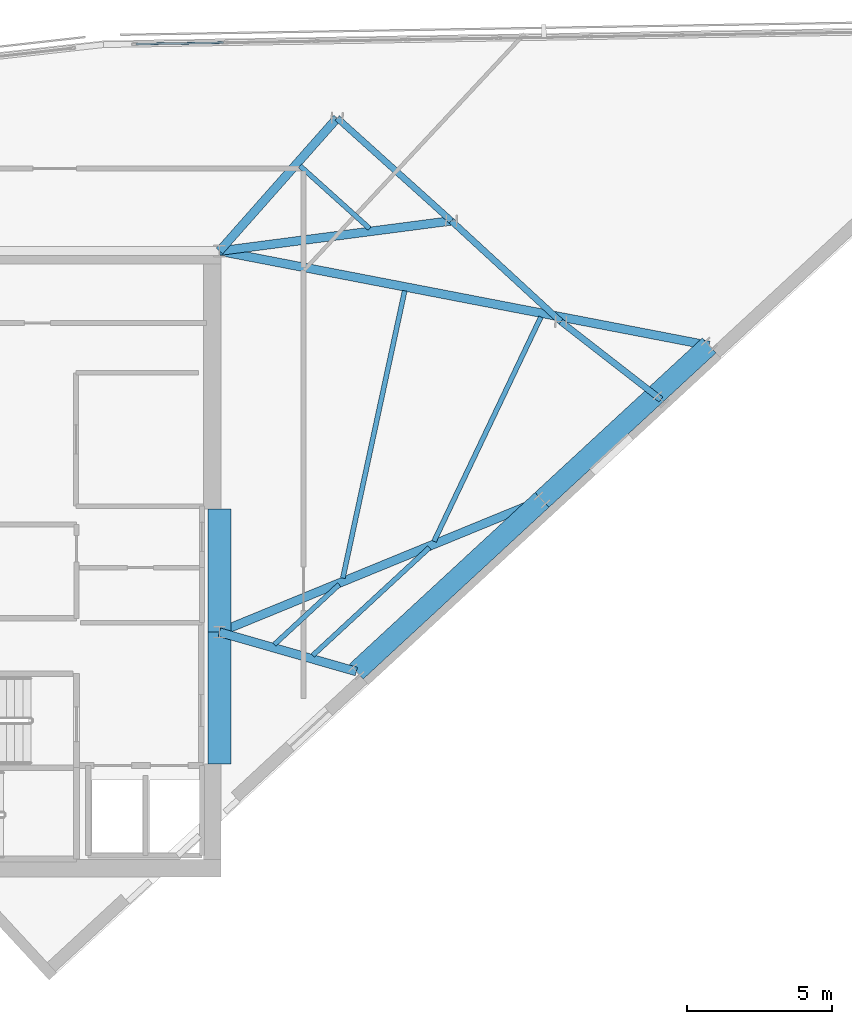
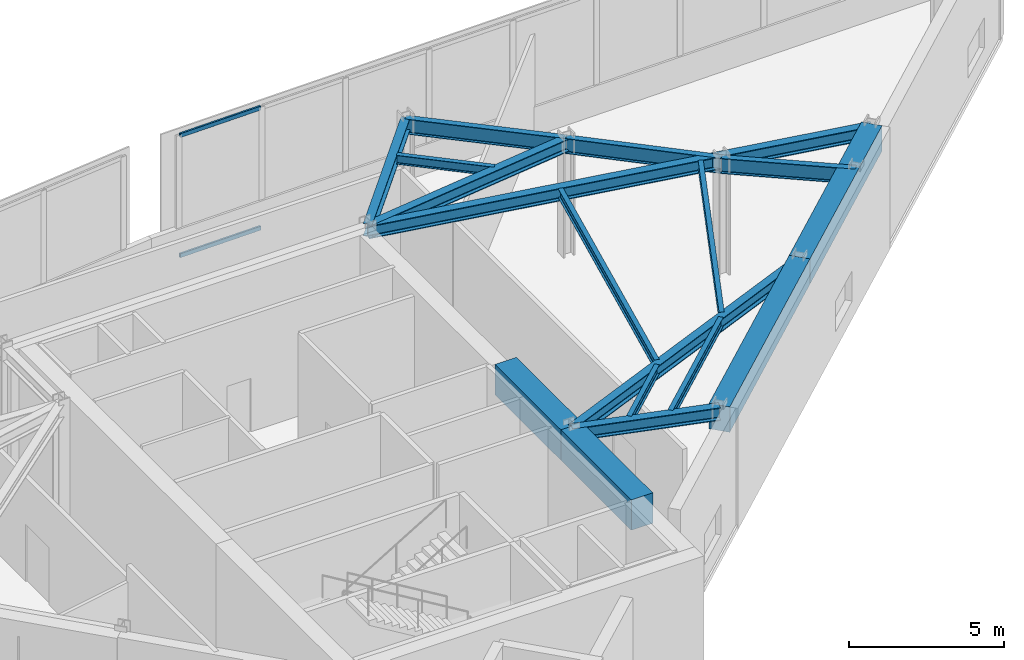
# One storey, part 5 of 12: 17 beams, 2 members, 1 element without a shape of its own.
"""IFC4 building model written with IfcOpenShell, lengths in metres."""

import ifcopenshell
import ifcopenshell.guid

model = None  # the IFC model being written
_history = None  # IfcOwnerHistory: only IFC2X3 demands one
_inside = {}  # id of a spatial element -> (the spatial element, [elements in it])
_under = {}  # id of a project, library or spatial element -> (it, [spatial elements below it])
_declared = {}  # id of a project -> (the project, [libraries it declares])
_typed = {}  # id of a type object -> (the type object, [elements of that type])
_made_of = {}  # id of a material, layer set ... -> (it, [elements and type objects made of it])


def new_model(schema):
    """Start an empty IFC model of exactly this schema.

    Asked for "IFC4X3", IfcOpenShell would pick the latest addendum, in which some entities
    have other attributes; the version numbers below select the first issue.
    IFC2X3 requires an IfcOwnerHistory on every rooted entity: one is made here for all.
    """
    global model, _history
    if schema == "IFC4X3":
        model = ifcopenshell.file(schema_version=(4, 3, 0, 0))
    else:
        model = ifcopenshell.file(schema=schema)
    _inside.clear()
    _under.clear()
    _declared.clear()
    _typed.clear()
    _made_of.clear()
    _history = None
    if model.schema == "IFC2X3":
        org = make("IfcOrganization", Name="unknown")
        user = make(
            "IfcPersonAndOrganization",
            ThePerson=make("IfcPerson", FamilyName="unknown"),
            TheOrganization=org,
        )
        app = make(
            "IfcApplication",
            ApplicationDeveloper=org,
            Version="unknown",
            ApplicationFullName="unknown",
            ApplicationIdentifier="unknown",
        )
        _history = make(
            "IfcOwnerHistory",
            OwningUser=user,
            OwningApplication=app,
            ChangeAction="ADDED",
            CreationDate=0,
        )
    return model


def make(cls, **values):
    """One entity of the class cls with the attributes given. An attribute that is None is left unset."""
    return model.create_entity(
        cls, **{name: value for name, value in values.items() if value is not None}
    )


def rooted(cls, **values):
    """An entity with a GlobalId (a new one), such as an element, a storey or a relation."""
    return make(cls, GlobalId=ifcopenshell.guid.new(), OwnerHistory=_history, **values)


def si_unit(unit_type, name, prefix=None):
    """IfcSIUnit, for example si_unit("LENGTHUNIT", "METRE", prefix="MILLI")."""
    return make("IfcSIUnit", UnitType=unit_type, Prefix=prefix, Name=name)


def assignment(units):
    """IfcUnitAssignment: the units of a project."""
    return None if units is None else make("IfcUnitAssignment", Units=units)


def point(xyz):
    """IfcCartesianPoint."""
    return None if xyz is None else make("IfcCartesianPoint", Coordinates=xyz)


def direction(xyz):
    """IfcDirection."""
    return None if xyz is None else make("IfcDirection", DirectionRatios=xyz)


def frame(location, z_axis=None, x_axis=None):
    """IfcAxis2Placement3D, a coordinate frame: its origin and axes. An axis left out is left unset."""
    return make(
        "IfcAxis2Placement3D",
        Location=point(location),
        Axis=direction(z_axis),
        RefDirection=direction(x_axis),
    )


def frame_2d(location, x_axis=None):
    """IfcAxis2Placement2D, a coordinate frame in the plane: its origin and x axis."""
    return make(
        "IfcAxis2Placement2D", Location=point(location), RefDirection=direction(x_axis)
    )


def origin():
    """The frame at (0, 0, 0) with its axes left unset."""
    return frame((0.0, 0.0, 0.0))


def origin_2d():
    """The frame at (0, 0) in the plane with its x axis left unset."""
    return frame_2d((0.0, 0.0))


def place(relative_to, where):
    """IfcLocalPlacement: puts the frame where relative to a parent placement (None: the world)."""
    return make(
        "IfcLocalPlacement", PlacementRelTo=relative_to, RelativePlacement=where
    )


def context(
    kind, dimensions, precision=None, world=None, true_north=None, identifier=None
):
    """IfcGeometricRepresentationContext, for example the 3D "Model" context."""
    return make(
        "IfcGeometricRepresentationContext",
        ContextIdentifier=identifier,
        ContextType=kind,
        CoordinateSpaceDimension=dimensions,
        Precision=precision,
        WorldCoordinateSystem=world,
        TrueNorth=true_north,
    )


def subcontext(parent, identifier, kind, view, scale=None):
    """IfcGeometricRepresentationSubContext, for example "Body" below "Model"."""
    return make(
        "IfcGeometricRepresentationSubContext",
        ContextIdentifier=identifier,
        ContextType=kind,
        ParentContext=parent,
        TargetScale=scale,
        TargetView=view,
    )


def project(units=None, contexts=None):
    """IfcProject with its units and contexts."""
    return rooted(
        "IfcProject",
        Name="project",
        RepresentationContexts=contexts,
        UnitsInContext=assignment(units),
    )


def spatial(cls, under=None, at=None, **own):
    """A site, building, storey or space (cls), placed at a placement, below another one or the project."""
    s = rooted(cls, ObjectPlacement=at, **own)
    if under is not None:
        _under.setdefault(under.id(), (under, []))[1].append(s)
    return s


def profile(cls, at=None, kind="AREA", **sizes):
    """A parametric profile (cls). Its sizes go by their IFC names, for example OverallWidth=200.0."""
    return make(cls, ProfileType=kind, Position=at, **sizes)


def rectangle(**sizes):
    """IfcRectangleProfileDef."""
    return profile("IfcRectangleProfileDef", **sizes)


def hollow_rectangle(**sizes):
    """IfcRectangleHollowProfileDef."""
    return profile("IfcRectangleHollowProfileDef", **sizes)


def i_section(**sizes):
    """IfcIShapeProfileDef."""
    return profile("IfcIShapeProfileDef", **sizes)


def extrude(swept, where, along, depth):
    """IfcExtrudedAreaSolid: the profile swept, set in the frame where, extruded along a direction by depth."""
    return make(
        "IfcExtrudedAreaSolid",
        SweptArea=swept,
        Position=where,
        ExtrudedDirection=direction(along),
        Depth=depth,
    )


def shape(context_of_items, identifier, shape_type, items):
    """IfcShapeRepresentation: the items that make up one representation, for example the "Body"."""
    return make(
        "IfcShapeRepresentation",
        ContextOfItems=context_of_items,
        RepresentationIdentifier=identifier,
        RepresentationType=shape_type,
        Items=items,
    )


def material(Name=None, Category=None):
    """IfcMaterial."""
    return make("IfcMaterial", Name=Name, Category=Category)


def material_profile(
    of_material, cross_section, Name=None, Category=None, Priority=None
):
    """IfcMaterialProfile: a cross section and its material."""
    return make(
        "IfcMaterialProfile",
        Name=Name,
        Material=of_material,
        Profile=cross_section,
        Priority=Priority,
        Category=Category,
    )


def profile_set(profiles, Name=None, composite=None):
    """IfcMaterialProfileSet."""
    return make(
        "IfcMaterialProfileSet",
        Name=Name,
        MaterialProfiles=profiles,
        CompositeProfile=composite,
    )


def made_of(thing, what):
    """Note that an element or type object is made of a material, layer set ...; save() writes the relation."""
    if what is not None:
        _made_of.setdefault(what.id(), (what, []))[1].append(thing)
    return thing


def type_object(cls, material=None, **own):
    """A type object (cls), such as IfcWallType, which elements share."""
    return made_of(rooted(cls, **own), material)


def element(
    cls,
    number,
    at=None,
    inside=None,
    cuts=None,
    type_object=None,
    material=None,
    context=None,
    identifier="Body",
    shape_type=None,
    held_by="IfcProductDefinitionShape",
    body=None,
    shapes=None,
    **own,
):
    """One element of the class cls, such as IfcWall. Its Tag is "e" and its number.

    at: its placement. inside: the storey or other place that contains it. cuts: it is an
    opening in that element (IfcRelVoidsElement). A single representation is given by context,
    identifier, shape_type and body (its items); several are given by shapes. held_by: the class
    of the entity that holds the representations. save() writes the other relations.
    """
    e = rooted(cls, Tag="e%d" % number, ObjectPlacement=at, **own)
    if body is not None:
        shapes = [shape(context, identifier, shape_type, body)]
    if shapes is not None:
        e.Representation = make(held_by, Representations=shapes)
    if inside is not None:
        _inside.setdefault(inside.id(), (inside, []))[1].append(e)
    if cuts is not None:
        rooted(
            "IfcRelVoidsElement", RelatingBuildingElement=cuts, RelatedOpeningElement=e
        )
    if type_object is not None:
        _typed.setdefault(type_object.id(), (type_object, []))[1].append(e)
    return made_of(e, material)


def aggregate(whole, parts):
    """IfcRelAggregates: a whole, such as a stair, and the parts it consists of."""
    return rooted("IfcRelAggregates", RelatingObject=whole, RelatedObjects=parts)


def save(model, path):
    """Write the relations noted so far, then the file.

    IfcRelAggregates (storeys below a building ...), IfcRelContainedInSpatialStructure (elements
    in a storey), IfcRelDefinesByType, IfcRelAssociatesMaterial and IfcRelDeclares: one each for
    every whole, place, type object, material and project.
    """
    for whole, parts in _under.values():
        aggregate(whole, parts)
    for where, things in _inside.values():
        rooted(
            "IfcRelContainedInSpatialStructure",
            RelatedElements=things,
            RelatingStructure=where,
        )
    for kind, things in _typed.values():
        rooted("IfcRelDefinesByType", RelatedObjects=things, RelatingType=kind)
    for what, things in _made_of.values():
        rooted("IfcRelAssociatesMaterial", RelatedObjects=things, RelatingMaterial=what)
    for by, libraries in _declared.values():
        rooted("IfcRelDeclares", RelatingContext=by, RelatedDefinitions=libraries)
    model.write(path)


model = new_model("IFC4")

# Units and contexts
model_context = context("Model", 3, precision=1e-05, world=origin(), true_north=direction((0.0, 1.0)))
body_context = subcontext(model_context, "Body", "Model", "MODEL_VIEW")
ifc_project = project(units=[si_unit("LENGTHUNIT", "METRE"), si_unit("AREAUNIT", "SQUARE_METRE"), si_unit("VOLUMEUNIT", "CUBIC_METRE"), si_unit("PLANEANGLEUNIT", "RADIAN"), si_unit("MASSUNIT", "GRAM", prefix="KILO")], contexts=[model_context])

# Site, building, storey
site_placement = place(None, origin())
site = spatial("IfcSite", under=ifc_project, at=site_placement, CompositionType="ELEMENT")
building_placement = place(site_placement, origin())
building = spatial("IfcBuilding", under=site, at=building_placement, Name="Narakoshi Arena Tower", CompositionType="ELEMENT")
storey_placement = place(building_placement, frame((0.0, 0.0, 298.179931640625)))
storey = spatial("IfcBuildingStorey", under=building, at=storey_placement, Name="L81", CompositionType="ELEMENT", Elevation=298.179931640625)

# Beams
ifc_material_1 = material(Name="Concrete C60/75", Category="concrete")
ifc_material_profile_1 = material_profile(ifc_material_1, rectangle(XDim=0.699951171875, YDim=1.0, at=origin_2d()), Name="RCB700x1000")
ifc_profile_set_1 = profile_set([ifc_material_profile_1], Name="Concrete C60/75")
beam_type_1 = type_object("IfcBeamType", Name="BM-CPL-1000", PredefinedType="BEAM", material=ifc_profile_set_1)
beam_1_placement = place(storey_placement, frame((90.2734375, 41.992919921875, 4.10009765625), z_axis=(0.734326819586, 0.678796082809, 0.0), x_axis=(-0.678796082809, 0.734326819586, 0.0)))
element("IfcBeam", 1, at=beam_1_placement, inside=storey, type_object=beam_type_1, Name="L81 Perimeter Edge Girder 01", PredefinedType="BEAM", context=body_context, shape_type="SweptSolid", body=[
    extrude(rectangle(XDim=0.699951171875, YDim=1.0, at=origin_2d()), origin(), (0.0, 0.0, 1.0), 8.72265625),
])
beam_2_placement = place(storey_placement, frame((96.6787109375, 47.913818359375, 4.10009765625), z_axis=(0.734333489286, 0.678788867405, 0.0), x_axis=(-0.678788867405, 0.734333489286, 0.0)))
element("IfcBeam", 2, at=beam_2_placement, inside=storey, type_object=beam_type_1, Name="L81 Perimeter Edge Girder 02", PredefinedType="BEAM", context=body_context, shape_type="SweptSolid", body=[
    extrude(rectangle(XDim=0.699951171875, YDim=1.0, at=origin_2d()), origin(), (0.0, 0.0, 1.0), 7.85009765625),
])
ifc_material_profile_2 = material_profile(ifc_material_1, rectangle(XDim=0.800048828125, YDim=1.199951171875, at=origin_2d()), Name="RCB800x1200")
ifc_profile_set_2 = profile_set([ifc_material_profile_2], Name="Concrete C60/75")
beam_type_2 = type_object("IfcBeamType", Name="BM-CPL-1200", PredefinedType="LINTEL", material=ifc_profile_set_2)
beam_3_placement = place(storey_placement, frame((85.550048828125, 38.800048828125, 4.0), z_axis=(0.0, 1.0, 0.0), x_axis=(-1.0, 0.0, 0.0)))
element("IfcBeam", 3, at=beam_3_placement, inside=storey, type_object=beam_type_2, Name="L81 Core Seismic Coupling Beam 1", PredefinedType="LINTEL", context=body_context, shape_type="SweptSolid", body=[
    extrude(rectangle(XDim=0.800048828125, YDim=1.199951171875, at=origin_2d()), origin(), (0.0, 0.0, 1.0), 4.550048828125),
])
beam_4_placement = place(storey_placement, frame((85.550048828125, 43.35009765625, 4.0), z_axis=(0.0, 1.0, 0.0), x_axis=(-1.0, 0.0, 0.0)))
element("IfcBeam", 4, at=beam_4_placement, inside=storey, type_object=beam_type_2, Name="L81 Core Seismic Coupling Beam 2", PredefinedType="LINTEL", context=body_context, shape_type="SweptSolid", body=[
    extrude(rectangle(XDim=0.800048828125, YDim=1.199951171875, at=origin_2d()), origin(), (0.0, 0.0, 1.0), 4.25),
])
ifc_material_2 = material(Name="Structural steel S355J2", Category="steel")
ifc_material_profile_3 = material_profile(ifc_material_2, i_section(OverallWidth=0.219970703125, OverallDepth=0.60009765625, WebThickness=0.011962890625, FlangeThickness=0.01904296875, FilletRadius=0.02392578125, at=origin_2d()), Name="IPE600")
ifc_profile_set_3 = profile_set([ifc_material_profile_3], Name="Structural steel S355J2")
beam_type_3 = type_object("IfcBeamType", Name="BM-EDGE-600", PredefinedType="BEAM", material=ifc_profile_set_3)
beam_5_placement = place(storey_placement, frame((100.78173828125, 51.379638671875, 4.300048828125), z_axis=(-0.789307135535, 0.613998571491, 0.0), x_axis=(-0.613998571491, -0.789307135535, 0.0)))
element("IfcBeam", 5, at=beam_5_placement, inside=storey, type_object=beam_type_3, Name="L81 Perimeter Edge Girder 04", PredefinedType="BEAM", context=body_context, shape_type="SweptSolid", body=[
    extrude(i_section(OverallWidth=0.219970703125, OverallDepth=0.60009765625, WebThickness=0.011962890625, FlangeThickness=0.01904296875, FilletRadius=0.02392578125, at=origin_2d()), origin(), (0.0, 0.0, 1.0), 4.374267578125),
])
beam_6_placement = place(storey_placement, frame((97.3291015625, 54.0654296875, 4.300048828125), z_axis=(-0.735759504933, 0.677242903914, 0.0), x_axis=(-0.677242903914, -0.735759504933, 0.0)))
element("IfcBeam", 6, at=beam_6_placement, inside=storey, type_object=beam_type_3, Name="L81 Perimeter Edge Girder 05", PredefinedType="BEAM", context=body_context, shape_type="SweptSolid", body=[
    extrude(i_section(OverallWidth=0.219970703125, OverallDepth=0.60009765625, WebThickness=0.011962890625, FlangeThickness=0.01904296875, FilletRadius=0.02392578125, at=origin_2d()), origin(), (0.0, 0.0, 1.0), 5.135986328125),
])
beam_7_placement = place(storey_placement, frame((93.55029296875, 57.543701171875, 4.300048828125), z_axis=(-0.743147547665, 0.66912758305, 0.0), x_axis=(-0.66912758305, -0.743147547665, 0.0)))
element("IfcBeam", 7, at=beam_7_placement, inside=storey, type_object=beam_type_3, Name="L81 Perimeter Edge Girder 06", PredefinedType="BEAM", context=body_context, shape_type="SweptSolid", body=[
    extrude(i_section(OverallWidth=0.219970703125, OverallDepth=0.60009765625, WebThickness=0.011962890625, FlangeThickness=0.01904296875, FilletRadius=0.02392578125, at=origin_2d()), origin(), (0.0, 0.0, 1.0), 5.30029296875),
])
ifc_material_profile_4 = material_profile(ifc_material_2, i_section(OverallWidth=0.300048828125, OverallDepth=0.5, WebThickness=0.014404296875, FlangeThickness=0.028076171875, FilletRadius=0.027099609375, at=origin_2d()), Name="HE500B")
ifc_profile_set_4 = profile_set([ifc_material_profile_4], Name="Structural steel S355J2")
beam_type_4 = type_object("IfcBeamType", Name="BM-PRI-500", PredefinedType="BEAM", material=ifc_profile_set_4)
beam_8_placement = place(storey_placement, frame((85.550048828125, 43.35009765625, 4.35009765625), z_axis=(0.961112330887, -0.276157721993, 0.0), x_axis=(0.276157721993, 0.961112330887, 0.0)))
element("IfcBeam", 8, at=beam_8_placement, inside=storey, type_object=beam_type_4, Name="L81 Radial Primary Floor Girder 01", PredefinedType="BEAM", context=body_context, shape_type="SweptSolid", body=[
    extrude(i_section(OverallWidth=0.300048828125, OverallDepth=0.5, WebThickness=0.014404296875, FlangeThickness=0.028076171875, FilletRadius=0.027099609375, at=origin_2d()), origin(), (0.0, 0.0, 1.0), 4.91455078125),
])
beam_9_placement = place(storey_placement, frame((85.550048828125, 43.35009765625, 4.35009765625), z_axis=(0.925223618811, 0.379422265021, 0.0), x_axis=(-0.379422265021, 0.925223618811, 0.0)))
element("IfcBeam", 9, at=beam_9_placement, inside=storey, type_object=beam_type_4, Name="L81 Radial Primary Floor Girder 02", PredefinedType="BEAM", context=body_context, shape_type="SweptSolid", body=[
    extrude(i_section(OverallWidth=0.300048828125, OverallDepth=0.5, WebThickness=0.014404296875, FlangeThickness=0.028076171875, FilletRadius=0.027099609375, at=origin_2d()), origin(), (0.0, 0.0, 1.0), 12.028076171875),
])
beam_10_placement = place(storey_placement, frame((85.550048828125, 56.5, 4.35009765625), z_axis=(0.98191087483, -0.189343692505, 0.0), x_axis=(0.189343692505, 0.98191087483, 0.0)))
element("IfcBeam", 10, at=beam_10_placement, inside=storey, type_object=beam_type_4, Name="L81 Radial Primary Floor Girder 03", PredefinedType="BEAM", context=body_context, shape_type="SweptSolid", body=[
    extrude(i_section(OverallWidth=0.300048828125, OverallDepth=0.5, WebThickness=0.014404296875, FlangeThickness=0.028076171875, FilletRadius=0.027099609375, at=origin_2d()), origin(), (0.0, 0.0, 1.0), 17.20458984375),
])
beam_11_placement = place(storey_placement, frame((85.550048828125, 56.5, 4.35009765625), z_axis=(0.991597373641, 0.129362469783, 0.0), x_axis=(-0.129362469783, 0.991597373641, 0.0)))
element("IfcBeam", 11, at=beam_11_placement, inside=storey, type_object=beam_type_4, Name="L81 Radial Primary Floor Girder 06", PredefinedType="BEAM", context=body_context, shape_type="SweptSolid", body=[
    extrude(i_section(OverallWidth=0.300048828125, OverallDepth=0.5, WebThickness=0.014404296875, FlangeThickness=0.028076171875, FilletRadius=0.027099609375, at=origin_2d()), origin(), (0.0, 0.0, 1.0), 8.068115234375),
])
beam_12_placement = place(storey_placement, frame((85.550048828125, 56.5, 4.35009765625), z_axis=(0.662628886894, 0.748947900894, 0.0), x_axis=(-0.748947900894, 0.662628886894, 0.0)))
element("IfcBeam", 12, at=beam_12_placement, inside=storey, type_object=beam_type_4, Name="L81 Radial Primary Floor Girder 07", PredefinedType="BEAM", context=body_context, shape_type="SweptSolid", body=[
    extrude(i_section(OverallWidth=0.300048828125, OverallDepth=0.5, WebThickness=0.014404296875, FlangeThickness=0.028076171875, FilletRadius=0.027099609375, at=origin_2d()), origin(), (0.0, 0.0, 1.0), 6.129150390625),
])
ifc_material_profile_5 = material_profile(ifc_material_2, i_section(OverallWidth=0.169921875, OverallDepth=0.360107421875, WebThickness=0.008056640625, FlangeThickness=0.0126953125, FilletRadius=0.01806640625, at=origin_2d()), Name="IPE360")
ifc_profile_set_5 = profile_set([ifc_material_profile_5], Name="Structural steel S355J2")
beam_type_5 = type_object("IfcBeamType", Name="BM-SEC-360", PredefinedType="JOIST", material=ifc_profile_set_5)
beam_13_placement = place(storey_placement, frame((87.444091796875, 42.92578125, 4.420166015625), z_axis=(0.734268297495, 0.678859386982, 0.0), x_axis=(-0.678859386982, 0.734268297495, 0.0)))
element("IfcBeam", 13, at=beam_13_placement, inside=storey, type_object=beam_type_5, Name="L81 Composite Secondary Floor Joist 01", PredefinedType="JOIST", context=body_context, shape_type="SweptSolid", body=[
    extrude(i_section(OverallWidth=0.169921875, OverallDepth=0.360107421875, WebThickness=0.008056640625, FlangeThickness=0.0126953125, FilletRadius=0.01806640625, at=origin_2d()), origin(), (0.0, 0.0, 1.0), 3.044677734375),
])
beam_14_placement = place(storey_placement, frame((88.7666015625, 42.5458984375, 4.420166015625), z_axis=(0.734325629348, 0.678797370415, 0.0), x_axis=(-0.678797370415, 0.734325629348, 0.0)))
element("IfcBeam", 14, at=beam_14_placement, inside=storey, type_object=beam_type_5, Name="L81 Composite Secondary Floor Joist 02", PredefinedType="JOIST", context=body_context, shape_type="SweptSolid", body=[
    extrude(i_section(OverallWidth=0.169921875, OverallDepth=0.360107421875, WebThickness=0.008056640625, FlangeThickness=0.0126953125, FilletRadius=0.01806640625, at=origin_2d()), origin(), (0.0, 0.0, 1.0), 5.487060546875),
])
beam_15_placement = place(storey_placement, frame((89.807373046875, 45.21630859375, 4.420166015625), z_axis=(0.210415196276, 0.977612113865, 0.0), x_axis=(-0.977612113865, 0.210415196276, 0.0)))
element("IfcBeam", 15, at=beam_15_placement, inside=storey, type_object=beam_type_5, Name="L81 Composite Secondary Floor Joist 03", PredefinedType="JOIST", context=body_context, shape_type="SweptSolid", body=[
    extrude(i_section(OverallWidth=0.169921875, OverallDepth=0.360107421875, WebThickness=0.008056640625, FlangeThickness=0.0126953125, FilletRadius=0.01806640625, at=origin_2d()), origin(), (0.0, 0.0, 1.0), 10.140869140625),
])
beam_16_placement = place(storey_placement, frame((92.952880859375, 46.48388671875, 4.420166015625), z_axis=(0.430020856008, 0.902818953832, 0.0), x_axis=(-0.902818953832, 0.430020856008, 0.0)))
element("IfcBeam", 16, at=beam_16_placement, inside=storey, type_object=beam_type_5, Name="L81 Composite Secondary Floor Joist 04", PredefinedType="JOIST", context=body_context, shape_type="SweptSolid", body=[
    extrude(i_section(OverallWidth=0.169921875, OverallDepth=0.360107421875, WebThickness=0.008056640625, FlangeThickness=0.0126953125, FilletRadius=0.01806640625, at=origin_2d()), origin(), (0.0, 0.0, 1.0), 8.578125),
])
beam_17_placement = place(storey_placement, frame((90.72998046875, 57.279052734375, 4.420166015625), z_axis=(-0.743154999107, 0.669119307225, 0.0), x_axis=(-0.669119307225, -0.743154999107, 0.0)))
element("IfcBeam", 17, at=beam_17_placement, inside=storey, type_object=beam_type_5, Name="L81 Composite Secondary Floor Joist 05", PredefinedType="JOIST", context=body_context, shape_type="SweptSolid", body=[
    extrude(i_section(OverallWidth=0.169921875, OverallDepth=0.360107421875, WebThickness=0.008056640625, FlangeThickness=0.0126953125, FilletRadius=0.01806640625, at=origin_2d()), origin(), (0.0, 0.0, 1.0), 3.228271484375),
])

# Curtain wall, members
ifc_material_3 = material(Name="Anodised bronze aluminium 6063-T6", Category="aluminium")
curtain_wall_type = type_object("IfcCurtainWallType", Name="CW-CRN-FACET", PredefinedType="NOTDEFINED", material=ifc_material_3)
curtain_wall_placement = place(storey_placement, origin())
curtain_wall = element("IfcCurtainWall", 18, at=curtain_wall_placement, inside=storey, type_object=curtain_wall_type, Name="L81 Slanted-Cut Crown Curtain Wall 6-1", PredefinedType="NOTDEFINED")
ifc_material_profile_6 = material_profile(ifc_material_3, hollow_rectangle(XDim=0.070068359375, YDim=0.159912109375, WallThickness=0.00390625, OuterFilletRadius=0.0048828125, at=origin_2d()), Name="TRN160x70x4")
ifc_profile_set_6 = profile_set([ifc_material_profile_6], Name="Anodised bronze aluminium 6063-T6")
member_type = type_object("IfcMemberType", Name="MEM-TRN-160", PredefinedType="USERDEFINED", material=ifc_profile_set_6)
member_1_placement = place(storey_placement, frame((82.6708984375, 63.641357421875, 0.03515625), z_axis=(0.999864634202, 0.016453366571, 0.0), x_axis=(-0.016453366571, 0.999864634202, 0.0)))
member_1 = element("IfcMember", 19, at=member_1_placement, type_object=member_type, Name="CW-06 transom 1.1", ObjectType="TRANSOM", PredefinedType="USERDEFINED", context=body_context, shape_type="SweptSolid", body=[
    extrude(hollow_rectangle(XDim=0.070068359375, YDim=0.159912109375, WallThickness=0.00390625, OuterFilletRadius=0.0048828125, at=origin_2d()), origin(), (0.0, 0.0, 1.0), 3.027099609375),
])
member_2_placement = place(storey_placement, frame((82.6708984375, 63.641357421875, 4.76513671875), z_axis=(0.999864634202, 0.016453366571, 0.0), x_axis=(-0.016453366571, 0.999864634202, 0.0)))
member_2 = element("IfcMember", 20, at=member_2_placement, type_object=member_type, Name="CW-06 transom 1.2", ObjectType="TRANSOM", PredefinedType="USERDEFINED", context=body_context, shape_type="SweptSolid", body=[
    extrude(hollow_rectangle(XDim=0.070068359375, YDim=0.159912109375, WallThickness=0.00390625, OuterFilletRadius=0.0048828125, at=origin_2d()), origin(), (0.0, 0.0, 1.0), 3.027099609375),
])
aggregate(curtain_wall, [member_1, member_2])

save(model, "model.ifc")
